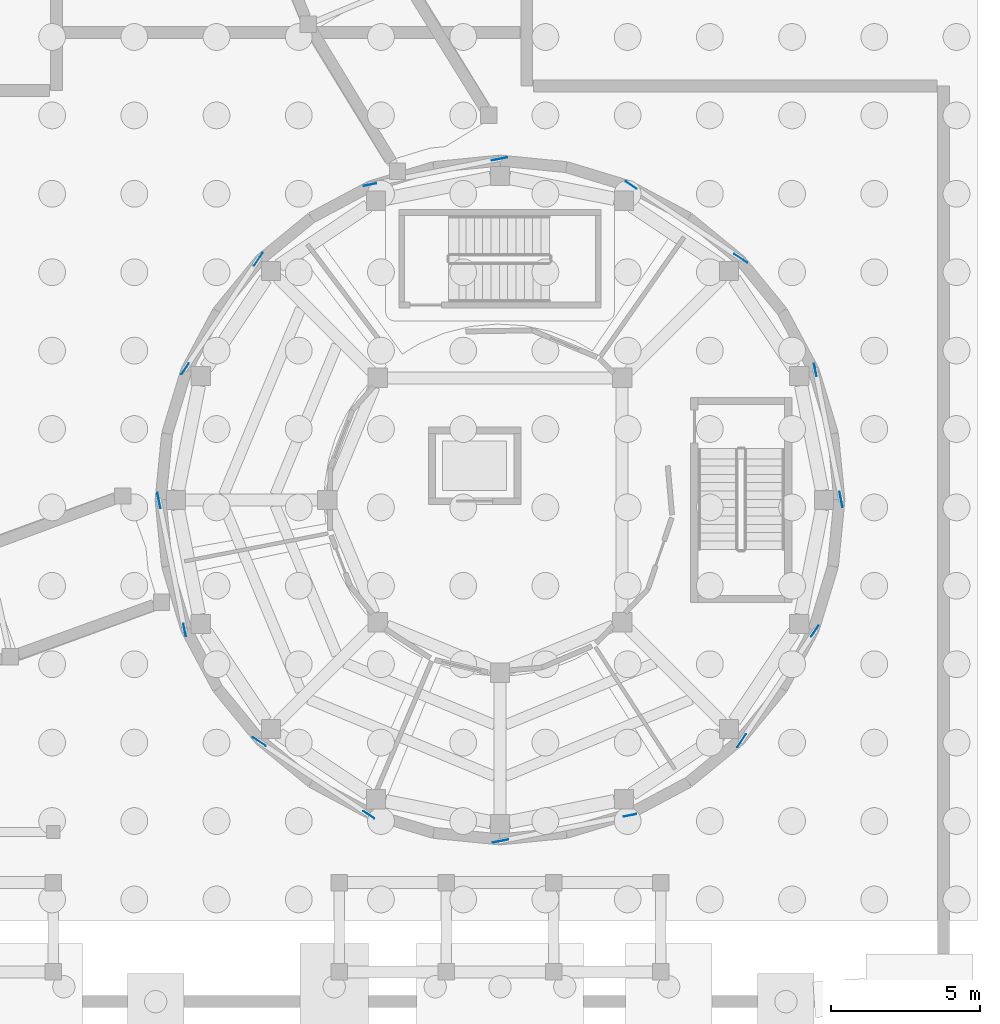
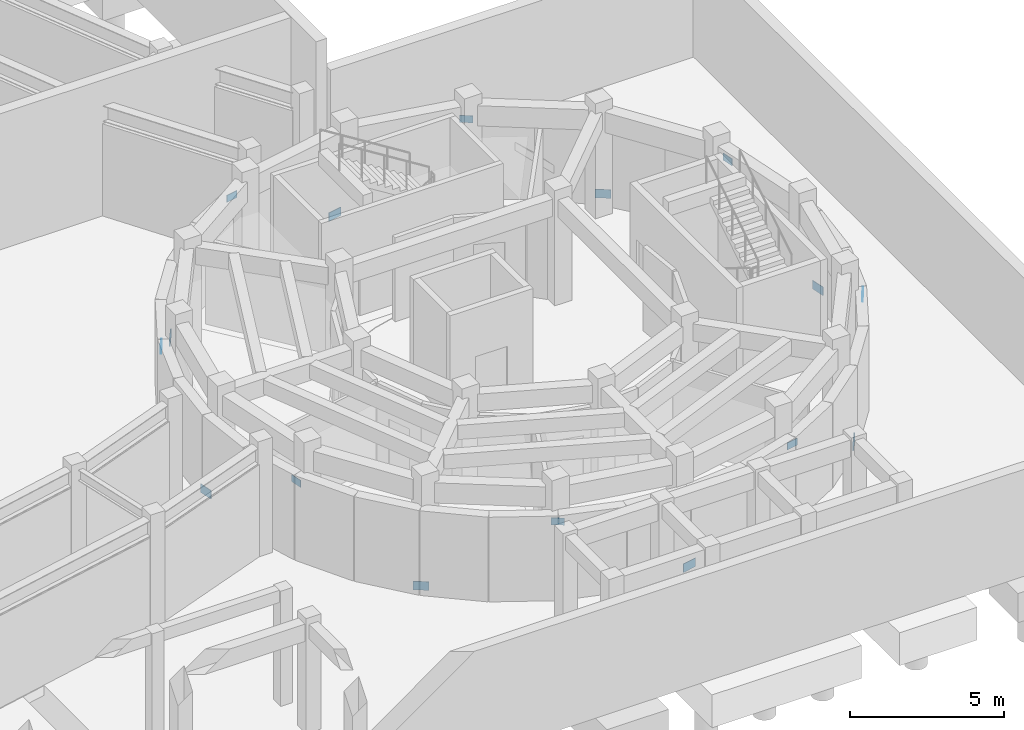
# One storey, part 32 of 57: 16 plates.
"""IFC4 building model written with IfcOpenShell, lengths in metres."""

from ifc_helpers import new_model, si_unit, direction, frame, origin, origin_2d, place, context, subcontext, project, spatial, rectangle, extrude, material, layer, layer_set, type_object, element, save


model = new_model("IFC4")

# Units and contexts
model_context = context("Model", 3, precision=1e-05, world=origin(), true_north=direction((0.0, 1.0)))
body_context = subcontext(model_context, "Body", "Model", "MODEL_VIEW")
ifc_project = project(units=[si_unit("LENGTHUNIT", "METRE"), si_unit("AREAUNIT", "SQUARE_METRE"), si_unit("VOLUMEUNIT", "CUBIC_METRE"), si_unit("PLANEANGLEUNIT", "RADIAN"), si_unit("MASSUNIT", "GRAM", prefix="KILO")], contexts=[model_context])

# Site, building, storey
site_placement = place(None, origin())
site = spatial("IfcSite", under=ifc_project, at=site_placement, CompositionType="ELEMENT")
building_placement = place(site_placement, origin())
building = spatial("IfcBuilding", under=site, at=building_placement, Name="Aldenvaro Health Centre", CompositionType="ELEMENT")
storey_placement = place(building_placement, frame((0.0, 0.0, -4.550048828125)))
storey = spatial("IfcBuildingStorey", under=building, at=storey_placement, Name="B1", CompositionType="ELEMENT", Elevation=-4.550048828125)

# Plates
ifc_material = material(Name="Steel ASTM A572 Grade 50", Category="steel")
ifc_layer_1 = layer(ifc_material, 0.01806640625, Name="Steel ASTM A572 Grade 50", Category="steel")
ifc_layer_set_1 = layer_set([ifc_layer_1], Name="Steel ASTM A572 Grade 50")
plate_type_1 = type_object("IfcPlateType", Name="PLT-GUS-02", PredefinedType="SHEET", material=ifc_layer_set_1)
for number, where, z_axis, x_axis, name in (
    (1, (165.9560546875, 18.52001953125, 0.1298828125), (0.0, 0.0, 1.0), (-0.194987613352, 0.980805704836, 0.0), "D6 B1 brace end gusset 1.B"),
    (2, (162.5859375, 26.614013671875, 0.1298828125), (0.0, 0.0, 1.0), (-0.831246525131, 0.555903961542, 0.0), "D6 B1 brace end gusset 3.B"),
    (3, (154.47998046875, 29.9560546875, 0.1298828125), (0.0, 0.0, 1.0), (-0.980805704836, -0.194987613352, 0.0), "D6 B1 brace end gusset 5.B"),
    (4, (146.385986328125, 26.5859375, 0.1298828125), (0.0, 0.0, 1.0), (-0.555903961542, -0.831246525131, 0.0), "D6 B1 brace end gusset 7.B"),
    (5, (143.0439453125, 18.47998046875, 0.1298828125), (0.0, 0.0, 1.0), (0.194987613352, -0.980805704836, 0.0), "D6 B1 brace end gusset 9.B"),
    (6, (146.4140625, 10.385986328125, 0.1298828125), (0.0, 0.0, 1.0), (0.831246525131, -0.555903961542, 0.0), "D6 B1 brace end gusset 11.B"),
    (7, (154.52001953125, 7.0439453125, 0.1298828125), (0.0, 0.0, 1.0), (0.980805704836, 0.194987613352, 0.0), "D6 B1 brace end gusset 13.B"),
    (8, (162.614013671875, 10.4140625, 0.1298828125), (0.0, 0.0, 1.0), (0.555903961542, 0.831246525131, 0.0), "D6 B1 brace end gusset 15.B"),
):
    element("IfcPlate", number, at=place(storey_placement, frame(where, z_axis=z_axis, x_axis=x_axis)), inside=storey, type_object=plate_type_1, Name=name, PredefinedType="SHEET", context=body_context, shape_type="SweptSolid", body=[
        extrude(rectangle(XDim=0.52001953125, YDim=0.01806640625, at=origin_2d()), origin(), (0.0, 0.0, 1.0), 0.340087890625),
    ])
ifc_layer_2 = layer(ifc_material, 0.01611328125, Name="Steel ASTM A572 Grade 50", Category="steel")
ifc_layer_set_2 = layer_set([ifc_layer_2], Name="Steel ASTM A572 Grade 50")
plate_type_2 = type_object("IfcPlateType", Name="PLT-GUS-03", PredefinedType="SHEET", material=ifc_layer_set_2)
for number, where, z_axis, x_axis, name in (
    (9, (165.092041015625, 22.865966796875, 2.908203125), (0.0, 0.0, 1.0), (-0.194987613352, 0.980805704836, 0.0), "D6 B1 brace end gusset 1.T"),
    (10, (158.903076171875, 29.076904296875, 2.908203125), (0.0, 0.0, 1.0), (-0.831246525131, 0.555903961542, 0.0), "D6 B1 brace end gusset 3.T"),
    (11, (150.134033203125, 29.092041015625, 2.908203125), (0.0, 0.0, 1.0), (-0.980805704836, -0.194987613352, 0.0), "D6 B1 brace end gusset 5.T"),
    (12, (143.923095703125, 22.903076171875, 2.908203125), (0.0, 0.0, 1.0), (-0.555903961542, -0.831246525131, 0.0), "D6 B1 brace end gusset 7.T"),
    (13, (143.907958984375, 14.134033203125, 2.908203125), (0.0, 0.0, 1.0), (0.194987613352, -0.980805704836, 0.0), "D6 B1 brace end gusset 9.T"),
    (14, (150.096923828125, 7.923095703125, 2.908203125), (0.0, 0.0, 1.0), (0.831246525131, -0.555903961542, 0.0), "D6 B1 brace end gusset 11.T"),
    (15, (158.865966796875, 7.907958984375, 2.908203125), (0.0, 0.0, 1.0), (0.980805704836, 0.194987613352, 0.0), "D6 B1 brace end gusset 13.T"),
    (16, (165.076904296875, 14.096923828125, 2.908203125), (0.0, 0.0, 1.0), (0.555903961542, 0.831246525131, 0.0), "D6 B1 brace end gusset 15.T"),
):
    element("IfcPlate", number, at=place(storey_placement, frame(where, z_axis=z_axis, x_axis=x_axis)), inside=storey, type_object=plate_type_2, Name=name, PredefinedType="SHEET", context=body_context, shape_type="SweptSolid", body=[
        extrude(rectangle(XDim=0.43994140625, YDim=0.01611328125, at=origin_2d()), origin(), (0.0, 0.0, 1.0), 0.280029296875),
    ])

save(model, "model.ifc")
